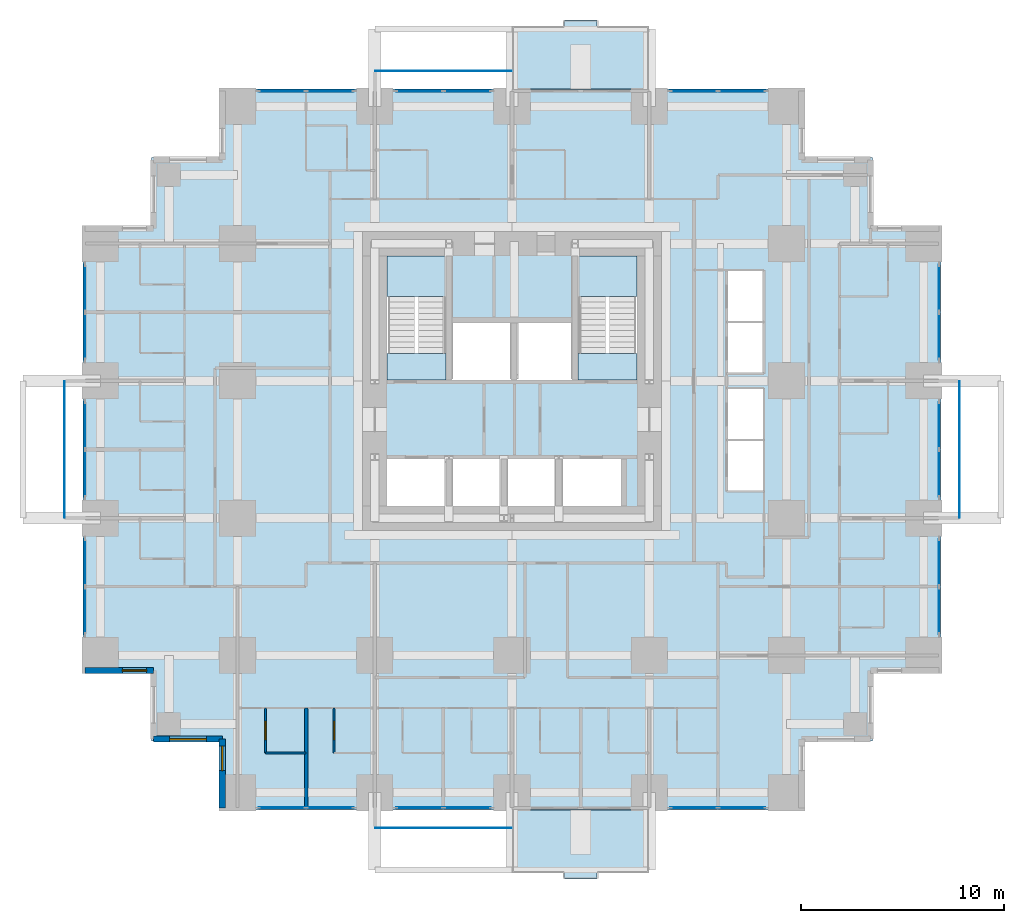
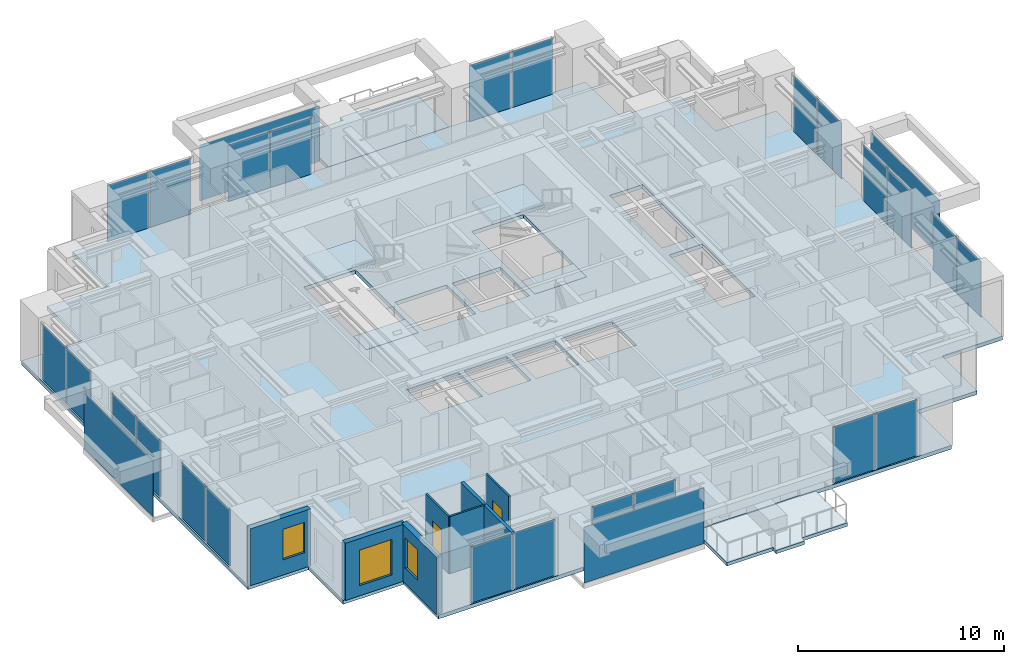
# One storey, part 6 of 13: 28 plates, 7 slabs, 7 walls, 3 windows, 2 doors, 5 openings, 14 elements without a shape of their own.
"""IFC4 building model written with IfcOpenShell, lengths in metres."""

from ifc_helpers import new_model, si_unit, direction, frame, frame_2d, origin, origin_2d, place, context, subcontext, project, spatial, polyline, rectangle, outline, extrude, material, layer, layer_set, type_object, element, fill, aggregate, save


model = new_model("IFC4")

# Units and contexts
model_context = context("Model", 3, precision=1e-05, world=origin(), true_north=direction((0.0, 1.0)))
body_context = subcontext(model_context, "Body", "Model", "MODEL_VIEW")
ifc_project = project(units=[si_unit("LENGTHUNIT", "METRE"), si_unit("AREAUNIT", "SQUARE_METRE"), si_unit("VOLUMEUNIT", "CUBIC_METRE"), si_unit("PLANEANGLEUNIT", "RADIAN"), si_unit("MASSUNIT", "GRAM", prefix="KILO")], contexts=[model_context])

# Site, building, storey
site_placement = place(None, origin())
site = spatial("IfcSite", under=ifc_project, at=site_placement, CompositionType="ELEMENT")
building_placement = place(site_placement, origin())
building = spatial("IfcBuilding", under=site, at=building_placement, Name="Nyansa Garden Tower", CompositionType="ELEMENT")
storey_placement = place(building_placement, frame((0.0, 0.0, 105.300048828125)))
storey = spatial("IfcBuildingStorey", under=building, at=storey_placement, Name="L28", CompositionType="ELEMENT", Elevation=105.300048828125)

# Slabs
ifc_material_1 = material(Name="Concrete C40/50", Category="concrete")
ifc_layer_1 = layer(ifc_material_1, 0.199951171875)
ifc_layer_set_1 = layer_set([ifc_layer_1], Name="Balcony slab BS200")
slab_type_1 = type_object("IfcSlabType", Name="Balcony slab BS200", PredefinedType="FLOOR", material=ifc_layer_set_1)
slab_1_placement = place(storey_placement, frame((0.0, 0.0, -0.239990234375)))
element("IfcSlab", 1, at=slab_1_placement, inside=storey, type_object=slab_type_1, Name="Balcony L28 S", PredefinedType="FLOOR", context=body_context, shape_type="SweptSolid", body=[
    extrude(outline(polyline([(20.25, -0.85009765625), (27.0, -0.85009765625), (27.0, -3.949951171875), (24.425048828125, -3.949951171875), (24.425048828125, -4.25), (22.824951171875, -4.25), (22.824951171875, -3.949951171875), (20.25, -3.949951171875), (20.25, -0.85009765625)])), origin(), (0.0, 0.0, 1.0), 0.199951171875),
])
slab_2_placement = place(storey_placement, frame((0.0, 0.0, -0.239990234375)))
element("IfcSlab", 2, at=slab_2_placement, inside=storey, type_object=slab_type_1, Name="Balcony L28 N", PredefinedType="FLOOR", context=body_context, shape_type="SweptSolid", body=[
    extrude(outline(polyline([(20.25, 34.60009765625), (27.0, 34.60009765625), (27.0, 37.699951171875), (24.425048828125, 37.699951171875), (24.425048828125, 38.0), (22.824951171875, 38.0), (22.824951171875, 37.699951171875), (20.25, 37.699951171875), (20.25, 34.60009765625)])), origin(), (0.0, 0.0, 1.0), 0.199951171875),
])

# Curtain wall, plates
ifc_material_2 = material(Name="Black anodised aluminium, dark tinted double glazing", Category="aluminium")
curtain_wall_type = type_object("IfcCurtainWallType", Name="Inner skin curtain wall ISW-B", PredefinedType="USERDEFINED", material=ifc_material_2)
curtain_wall_1_placement = place(storey_placement, origin())
curtain_wall_1 = element("IfcCurtainWall", 3, at=curtain_wall_1_placement, inside=storey, type_object=curtain_wall_type, Name="Inner skin curtain wall L28 E", ObjectType="UNITISED CURTAIN WALL", PredefinedType="USERDEFINED")
ifc_material_3 = material(Name="Dark tinted laminated double glazing", Category="glass")
ifc_layer_2 = layer(ifc_material_3, 0.035888671875)
ifc_layer_set_2 = layer_set([ifc_layer_2], Name="Dark tinted vision panel VP-B")
plate_type_1 = type_object("IfcPlateType", Name="Dark tinted vision panel VP-B", PredefinedType="CURTAIN_PANEL", material=ifc_layer_set_2)
plate_1_placement = place(storey_placement, frame((41.25, 8.94384765625, 0.0), z_axis=(0.0, 0.0, 1.0), x_axis=(0.0, 1.0, 0.0)))
plate_1 = element("IfcPlate", 4, at=plate_1_placement, type_object=plate_type_1, Name="ISW-B panel 1", PredefinedType="CURTAIN_PANEL", context=body_context, shape_type="SweptSolid", body=[
    extrude(rectangle(XDim=2.297607421875, YDim=0.035888671875, at=origin_2d()), origin(), (0.0, 0.0, 1.0), 3.31005859375),
])
plate_2_placement = place(storey_placement, frame((41.25, 11.30615234375, 0.0), z_axis=(0.0, 0.0, 1.0), x_axis=(0.0, 1.0, 0.0)))
plate_2 = element("IfcPlate", 5, at=plate_2_placement, type_object=plate_type_1, Name="ISW-B panel 2", PredefinedType="CURTAIN_PANEL", context=body_context, shape_type="SweptSolid", body=[
    extrude(rectangle(XDim=2.297607421875, YDim=0.035888671875, at=origin_2d()), origin(), (0.0, 0.0, 1.0), 3.31005859375),
])
aggregate(curtain_wall_1, [plate_1, plate_2])

curtain_wall_2_placement = place(storey_placement, origin())
curtain_wall_2 = element("IfcCurtainWall", 6, at=curtain_wall_2_placement, inside=storey, type_object=curtain_wall_type, Name="Inner skin curtain wall L28 E", ObjectType="UNITISED CURTAIN WALL", PredefinedType="USERDEFINED")
plate_3_placement = place(storey_placement, frame((41.25, 15.69384765625, 0.0), z_axis=(0.0, 0.0, 1.0), x_axis=(0.0, 1.0, 0.0)))
plate_3 = element("IfcPlate", 7, at=plate_3_placement, type_object=plate_type_1, Name="ISW-B panel 1", PredefinedType="CURTAIN_PANEL", context=body_context, shape_type="SweptSolid", body=[
    extrude(rectangle(XDim=2.297607421875, YDim=0.035888671875, at=origin_2d()), origin(), (0.0, 0.0, 1.0), 3.31005859375),
])
plate_4_placement = place(storey_placement, frame((41.25, 18.05615234375, 0.0), z_axis=(0.0, 0.0, 1.0), x_axis=(0.0, 1.0, 0.0)))
plate_4 = element("IfcPlate", 8, at=plate_4_placement, type_object=plate_type_1, Name="ISW-B panel 2", PredefinedType="CURTAIN_PANEL", context=body_context, shape_type="SweptSolid", body=[
    extrude(rectangle(XDim=2.297607421875, YDim=0.035888671875, at=origin_2d()), origin(), (0.0, 0.0, 1.0), 3.31005859375),
])
aggregate(curtain_wall_2, [plate_3, plate_4])

curtain_wall_3_placement = place(storey_placement, origin())
curtain_wall_3 = element("IfcCurtainWall", 9, at=curtain_wall_3_placement, inside=storey, type_object=curtain_wall_type, Name="Inner skin curtain wall L28 E", ObjectType="UNITISED CURTAIN WALL", PredefinedType="USERDEFINED")
plate_5_placement = place(storey_placement, frame((41.25, 22.44384765625, 0.0), z_axis=(0.0, 0.0, 1.0), x_axis=(0.0, 1.0, 0.0)))
plate_5 = element("IfcPlate", 10, at=plate_5_placement, type_object=plate_type_1, Name="ISW-B panel 1", PredefinedType="CURTAIN_PANEL", context=body_context, shape_type="SweptSolid", body=[
    extrude(rectangle(XDim=2.297607421875, YDim=0.035888671875, at=origin_2d()), origin(), (0.0, 0.0, 1.0), 3.31005859375),
])
plate_6_placement = place(storey_placement, frame((41.25, 24.80615234375, 0.0), z_axis=(0.0, 0.0, 1.0), x_axis=(0.0, 1.0, 0.0)))
plate_6 = element("IfcPlate", 11, at=plate_6_placement, type_object=plate_type_1, Name="ISW-B panel 2", PredefinedType="CURTAIN_PANEL", context=body_context, shape_type="SweptSolid", body=[
    extrude(rectangle(XDim=2.297607421875, YDim=0.035888671875, at=origin_2d()), origin(), (0.0, 0.0, 1.0), 3.31005859375),
])
aggregate(curtain_wall_3, [plate_5, plate_6])

curtain_wall_4_placement = place(storey_placement, origin())
curtain_wall_4 = element("IfcCurtainWall", 12, at=curtain_wall_4_placement, inside=storey, type_object=curtain_wall_type, Name="Inner skin curtain wall L28 N", ObjectType="UNITISED CURTAIN WALL", PredefinedType="USERDEFINED")
plate_7_placement = place(storey_placement, frame((18.05615234375, 34.5, 0.0), z_axis=(0.0, 0.0, 1.0), x_axis=(-1.0, 0.0, 0.0)))
plate_7 = element("IfcPlate", 13, at=plate_7_placement, type_object=plate_type_1, Name="ISW-B panel 1", PredefinedType="CURTAIN_PANEL", context=body_context, shape_type="SweptSolid", body=[
    extrude(rectangle(XDim=2.297607421875, YDim=0.035888671875, at=origin_2d()), origin(), (0.0, 0.0, 1.0), 3.31005859375),
])
plate_8_placement = place(storey_placement, frame((15.69384765625, 34.5, 0.0), z_axis=(0.0, 0.0, 1.0), x_axis=(-1.0, 0.0, 0.0)))
plate_8 = element("IfcPlate", 14, at=plate_8_placement, type_object=plate_type_1, Name="ISW-B panel 2", PredefinedType="CURTAIN_PANEL", context=body_context, shape_type="SweptSolid", body=[
    extrude(rectangle(XDim=2.297607421875, YDim=0.035888671875, at=origin_2d()), origin(), (0.0, 0.0, 1.0), 3.31005859375),
])
aggregate(curtain_wall_4, [plate_7, plate_8])

curtain_wall_5_placement = place(storey_placement, origin())
curtain_wall_5 = element("IfcCurtainWall", 15, at=curtain_wall_5_placement, inside=storey, type_object=curtain_wall_type, Name="Inner skin curtain wall L28 N", ObjectType="UNITISED CURTAIN WALL", PredefinedType="USERDEFINED")
plate_9_placement = place(storey_placement, frame((11.30615234375, 34.5, 0.0), z_axis=(0.0, 0.0, 1.0), x_axis=(-1.0, 0.0, 0.0)))
plate_9 = element("IfcPlate", 16, at=plate_9_placement, type_object=plate_type_1, Name="ISW-B panel 1", PredefinedType="CURTAIN_PANEL", context=body_context, shape_type="SweptSolid", body=[
    extrude(rectangle(XDim=2.297607421875, YDim=0.035888671875, at=origin_2d()), origin(), (0.0, 0.0, 1.0), 3.31005859375),
])
plate_10_placement = place(storey_placement, frame((8.94384765625, 34.5, 0.0), z_axis=(0.0, 0.0, 1.0), x_axis=(-1.0, 0.0, 0.0)))
plate_10 = element("IfcPlate", 17, at=plate_10_placement, type_object=plate_type_1, Name="ISW-B panel 2", PredefinedType="CURTAIN_PANEL", context=body_context, shape_type="SweptSolid", body=[
    extrude(rectangle(XDim=2.297607421875, YDim=0.035888671875, at=origin_2d()), origin(), (0.0, 0.0, 1.0), 3.31005859375),
])
aggregate(curtain_wall_5, [plate_9, plate_10])

curtain_wall_6_placement = place(storey_placement, origin())
curtain_wall_6 = element("IfcCurtainWall", 18, at=curtain_wall_6_placement, inside=storey, type_object=curtain_wall_type, Name="Inner skin curtain wall L28 N", ObjectType="UNITISED CURTAIN WALL", PredefinedType="USERDEFINED")
plate_11_placement = place(storey_placement, frame((31.55615234375, 34.5, 0.0), z_axis=(0.0, 0.0, 1.0), x_axis=(-1.0, 0.0, 0.0)))
plate_11 = element("IfcPlate", 19, at=plate_11_placement, type_object=plate_type_1, Name="ISW-B panel 1", PredefinedType="CURTAIN_PANEL", context=body_context, shape_type="SweptSolid", body=[
    extrude(rectangle(XDim=2.297607421875, YDim=0.035888671875, at=origin_2d()), origin(), (0.0, 0.0, 1.0), 3.31005859375),
])
plate_12_placement = place(storey_placement, frame((29.19384765625, 34.5, 0.0), z_axis=(0.0, 0.0, 1.0), x_axis=(-1.0, 0.0, 0.0)))
plate_12 = element("IfcPlate", 20, at=plate_12_placement, type_object=plate_type_1, Name="ISW-B panel 2", PredefinedType="CURTAIN_PANEL", context=body_context, shape_type="SweptSolid", body=[
    extrude(rectangle(XDim=2.297607421875, YDim=0.035888671875, at=origin_2d()), origin(), (0.0, 0.0, 1.0), 3.31005859375),
])
aggregate(curtain_wall_6, [plate_11, plate_12])

curtain_wall_7_placement = place(storey_placement, origin())
curtain_wall_7 = element("IfcCurtainWall", 21, at=curtain_wall_7_placement, inside=storey, type_object=curtain_wall_type, Name="Inner skin curtain wall L28 W", ObjectType="UNITISED CURTAIN WALL", PredefinedType="USERDEFINED")
plate_13_placement = place(storey_placement, frame((-0.75, 24.80615234375, 0.0), z_axis=(0.0, 0.0, 1.0), x_axis=(0.0, -1.0, 0.0)))
plate_13 = element("IfcPlate", 22, at=plate_13_placement, type_object=plate_type_1, Name="ISW-B panel 1", PredefinedType="CURTAIN_PANEL", context=body_context, shape_type="SweptSolid", body=[
    extrude(rectangle(XDim=2.297607421875, YDim=0.035888671875, at=origin_2d()), origin(), (0.0, 0.0, 1.0), 3.31005859375),
])
plate_14_placement = place(storey_placement, frame((-0.75, 22.44384765625, 0.0), z_axis=(0.0, 0.0, 1.0), x_axis=(0.0, -1.0, 0.0)))
plate_14 = element("IfcPlate", 23, at=plate_14_placement, type_object=plate_type_1, Name="ISW-B panel 2", PredefinedType="CURTAIN_PANEL", context=body_context, shape_type="SweptSolid", body=[
    extrude(rectangle(XDim=2.297607421875, YDim=0.035888671875, at=origin_2d()), origin(), (0.0, 0.0, 1.0), 3.31005859375),
])
aggregate(curtain_wall_7, [plate_13, plate_14])

curtain_wall_8_placement = place(storey_placement, origin())
curtain_wall_8 = element("IfcCurtainWall", 24, at=curtain_wall_8_placement, inside=storey, type_object=curtain_wall_type, Name="Inner skin curtain wall L28 W", ObjectType="UNITISED CURTAIN WALL", PredefinedType="USERDEFINED")
plate_15_placement = place(storey_placement, frame((-0.75, 18.05615234375, 0.0), z_axis=(0.0, 0.0, 1.0), x_axis=(0.0, -1.0, 0.0)))
plate_15 = element("IfcPlate", 25, at=plate_15_placement, type_object=plate_type_1, Name="ISW-B panel 1", PredefinedType="CURTAIN_PANEL", context=body_context, shape_type="SweptSolid", body=[
    extrude(rectangle(XDim=2.297607421875, YDim=0.035888671875, at=origin_2d()), origin(), (0.0, 0.0, 1.0), 3.31005859375),
])
plate_16_placement = place(storey_placement, frame((-0.75, 15.69384765625, 0.0), z_axis=(0.0, 0.0, 1.0), x_axis=(0.0, -1.0, 0.0)))
plate_16 = element("IfcPlate", 26, at=plate_16_placement, type_object=plate_type_1, Name="ISW-B panel 2", PredefinedType="CURTAIN_PANEL", context=body_context, shape_type="SweptSolid", body=[
    extrude(rectangle(XDim=2.297607421875, YDim=0.035888671875, at=origin_2d()), origin(), (0.0, 0.0, 1.0), 3.31005859375),
])
aggregate(curtain_wall_8, [plate_15, plate_16])

curtain_wall_9_placement = place(storey_placement, origin())
curtain_wall_9 = element("IfcCurtainWall", 27, at=curtain_wall_9_placement, inside=storey, type_object=curtain_wall_type, Name="Inner skin curtain wall L28 W", ObjectType="UNITISED CURTAIN WALL", PredefinedType="USERDEFINED")
plate_17_placement = place(storey_placement, frame((-0.75, 11.30615234375, 0.0), z_axis=(0.0, 0.0, 1.0), x_axis=(0.0, -1.0, 0.0)))
plate_17 = element("IfcPlate", 28, at=plate_17_placement, type_object=plate_type_1, Name="ISW-B panel 1", PredefinedType="CURTAIN_PANEL", context=body_context, shape_type="SweptSolid", body=[
    extrude(rectangle(XDim=2.297607421875, YDim=0.035888671875, at=origin_2d()), origin(), (0.0, 0.0, 1.0), 3.31005859375),
])
plate_18_placement = place(storey_placement, frame((-0.75, 8.94384765625, 0.0), z_axis=(0.0, 0.0, 1.0), x_axis=(0.0, -1.0, 0.0)))
plate_18 = element("IfcPlate", 29, at=plate_18_placement, type_object=plate_type_1, Name="ISW-B panel 2", PredefinedType="CURTAIN_PANEL", context=body_context, shape_type="SweptSolid", body=[
    extrude(rectangle(XDim=2.297607421875, YDim=0.035888671875, at=origin_2d()), origin(), (0.0, 0.0, 1.0), 3.31005859375),
])
aggregate(curtain_wall_9, [plate_17, plate_18])

curtain_wall_10_placement = place(storey_placement, origin())
curtain_wall_10 = element("IfcCurtainWall", 30, at=curtain_wall_10_placement, inside=storey, type_object=curtain_wall_type, Name="Inner skin curtain wall L28 S", ObjectType="UNITISED CURTAIN WALL", PredefinedType="USERDEFINED")
plate_19_placement = place(storey_placement, frame((8.94384765625, -0.75, 0.0), z_axis=(0.0, 0.0, 1.0), x_axis=(1.0, 0.0, 0.0)))
plate_19 = element("IfcPlate", 31, at=plate_19_placement, type_object=plate_type_1, Name="ISW-B panel 1", PredefinedType="CURTAIN_PANEL", context=body_context, shape_type="SweptSolid", body=[
    extrude(rectangle(XDim=2.297607421875, YDim=0.035888671875, at=origin_2d()), origin(), (0.0, 0.0, 1.0), 3.31005859375),
])
plate_20_placement = place(storey_placement, frame((11.30615234375, -0.75, 0.0), z_axis=(0.0, 0.0, 1.0), x_axis=(1.0, 0.0, 0.0)))
plate_20 = element("IfcPlate", 32, at=plate_20_placement, type_object=plate_type_1, Name="ISW-B panel 2", PredefinedType="CURTAIN_PANEL", context=body_context, shape_type="SweptSolid", body=[
    extrude(rectangle(XDim=2.297607421875, YDim=0.035888671875, at=origin_2d()), origin(), (0.0, 0.0, 1.0), 3.31005859375),
])
aggregate(curtain_wall_10, [plate_19, plate_20])

curtain_wall_11_placement = place(storey_placement, origin())
curtain_wall_11 = element("IfcCurtainWall", 33, at=curtain_wall_11_placement, inside=storey, type_object=curtain_wall_type, Name="Inner skin curtain wall L28 S", ObjectType="UNITISED CURTAIN WALL", PredefinedType="USERDEFINED")
plate_21_placement = place(storey_placement, frame((15.69384765625, -0.75, 0.0), z_axis=(0.0, 0.0, 1.0), x_axis=(1.0, 0.0, 0.0)))
plate_21 = element("IfcPlate", 34, at=plate_21_placement, type_object=plate_type_1, Name="ISW-B panel 1", PredefinedType="CURTAIN_PANEL", context=body_context, shape_type="SweptSolid", body=[
    extrude(rectangle(XDim=2.297607421875, YDim=0.035888671875, at=origin_2d()), origin(), (0.0, 0.0, 1.0), 3.31005859375),
])
plate_22_placement = place(storey_placement, frame((18.05615234375, -0.75, 0.0), z_axis=(0.0, 0.0, 1.0), x_axis=(1.0, 0.0, 0.0)))
plate_22 = element("IfcPlate", 35, at=plate_22_placement, type_object=plate_type_1, Name="ISW-B panel 2", PredefinedType="CURTAIN_PANEL", context=body_context, shape_type="SweptSolid", body=[
    extrude(rectangle(XDim=2.297607421875, YDim=0.035888671875, at=origin_2d()), origin(), (0.0, 0.0, 1.0), 3.31005859375),
])
aggregate(curtain_wall_11, [plate_21, plate_22])

curtain_wall_12_placement = place(storey_placement, origin())
curtain_wall_12 = element("IfcCurtainWall", 36, at=curtain_wall_12_placement, inside=storey, type_object=curtain_wall_type, Name="Inner skin curtain wall L28 S", ObjectType="UNITISED CURTAIN WALL", PredefinedType="USERDEFINED")
plate_23_placement = place(storey_placement, frame((29.19384765625, -0.75, 0.0), z_axis=(0.0, 0.0, 1.0), x_axis=(1.0, 0.0, 0.0)))
plate_23 = element("IfcPlate", 37, at=plate_23_placement, type_object=plate_type_1, Name="ISW-B panel 1", PredefinedType="CURTAIN_PANEL", context=body_context, shape_type="SweptSolid", body=[
    extrude(rectangle(XDim=2.297607421875, YDim=0.035888671875, at=origin_2d()), origin(), (0.0, 0.0, 1.0), 3.31005859375),
])
plate_24_placement = place(storey_placement, frame((31.55615234375, -0.75, 0.0), z_axis=(0.0, 0.0, 1.0), x_axis=(1.0, 0.0, 0.0)))
plate_24 = element("IfcPlate", 38, at=plate_24_placement, type_object=plate_type_1, Name="ISW-B panel 2", PredefinedType="CURTAIN_PANEL", context=body_context, shape_type="SweptSolid", body=[
    extrude(rectangle(XDim=2.297607421875, YDim=0.035888671875, at=origin_2d()), origin(), (0.0, 0.0, 1.0), 3.31005859375),
])
aggregate(curtain_wall_12, [plate_23, plate_24])

# Slab
ifc_material_4 = material(Name="Concrete C40/50", Category="concrete")
ifc_layer_3 = layer(ifc_material_4, 0.22509765625)
ifc_layer_set_3 = layer_set([ifc_layer_3], Name="Floor slab FS225")
slab_type_2 = type_object("IfcSlabType", Name="Floor slab FS225", PredefinedType="FLOOR", material=ifc_layer_set_3)
slab_3_placement = place(storey_placement, frame((0.0, 0.0, -0.22509765625)))
element("IfcSlab", 39, at=slab_3_placement, inside=storey, type_object=slab_type_2, Name="Floor slab L28", PredefinedType="FLOOR", context=body_context, shape_type="SweptSolid", body=[
    extrude(outline(polyline([(41.35009765625, 5.89990234375), (37.97509765625, 5.89990234375), (37.97509765625, 2.52490234375), (34.60009765625, 2.52490234375), (34.60009765625, -0.85009765625), (5.89990234375, -0.85009765625), (5.89990234375, 2.52490234375), (2.52490234375, 2.52490234375), (2.52490234375, 5.89990234375), (-0.85009765625, 5.89990234375), (-0.85009765625, 27.85009765625), (2.52490234375, 27.85009765625), (2.52490234375, 31.22509765625), (5.89990234375, 31.22509765625), (5.89990234375, 34.60009765625), (34.60009765625, 34.60009765625), (34.60009765625, 31.22509765625), (37.97509765625, 31.22509765625), (37.97509765625, 27.85009765625), (41.35009765625, 27.85009765625), (41.35009765625, 5.89990234375)]), holes=[polyline([(14.10009765625, 14.10009765625), (17.0, 14.10009765625), (17.0, 16.39990234375), (14.10009765625, 16.39990234375), (14.10009765625, 14.10009765625)]), polyline([(17.300048828125, 14.10009765625), (19.699951171875, 14.10009765625), (19.699951171875, 16.39990234375), (17.300048828125, 16.39990234375), (17.300048828125, 14.10009765625)]), polyline([(20.0, 14.10009765625), (22.39990234375, 14.10009765625), (22.39990234375, 16.39990234375), (20.0, 16.39990234375), (20.0, 14.10009765625)]), polyline([(22.699951171875, 14.10009765625), (25.60009765625, 14.10009765625), (25.60009765625, 16.39990234375), (22.699951171875, 16.39990234375), (22.699951171875, 14.10009765625)]), polyline([(17.300048828125, 20.300048828125), (20.199951171875, 20.300048828125), (20.199951171875, 23.10009765625), (17.300048828125, 23.10009765625), (17.300048828125, 20.300048828125)]), polyline([(20.5, 20.300048828125), (23.199951171875, 20.300048828125), (23.199951171875, 23.10009765625), (20.5, 23.10009765625), (20.5, 20.300048828125)]), polyline([(30.800048828125, 14.800048828125), (32.64990234375, 14.800048828125), (32.64990234375, 19.89990234375), (30.800048828125, 19.89990234375), (30.800048828125, 14.800048828125)]), polyline([(30.800048828125, 20.60009765625), (32.64990234375, 20.60009765625), (32.64990234375, 25.699951171875), (30.800048828125, 25.699951171875), (30.800048828125, 20.60009765625)]), polyline([(14.10009765625, 20.300048828125), (17.0, 20.300048828125), (17.0, 26.39990234375), (14.10009765625, 26.39990234375), (14.10009765625, 20.300048828125)]), polyline([(23.5, 20.300048828125), (26.39990234375, 20.300048828125), (26.39990234375, 26.39990234375), (23.5, 26.39990234375), (23.5, 20.300048828125)])]), origin(), (0.0, 0.0, 1.0), 0.22509765625),
])

# Plates
ifc_material_5 = material(Name="Dark tinted laminated glass", Category="glass")
ifc_layer_4 = layer(ifc_material_5, 0.02392578125)
ifc_layer_set_4 = layer_set([ifc_layer_4], Name="Outer skin glass panel OS1")
plate_type_2 = type_object("IfcPlateType", Name="Outer skin glass panel OS1", PredefinedType="USERDEFINED", material=ifc_layer_set_4)
for number, where, z_axis, x_axis, name in (
    (40, (42.25, 16.875, -0.22509765625), (0.0, 0.0, 1.0), (0.0, 1.0, 0.0), "Outer skin glass panel L28"),
    (41, (16.875, 35.5, -0.22509765625), (0.0, 0.0, 1.0), (1.0, 0.0, 0.0), "Outer skin glass panel L28"),
    (42, (-1.75, 16.875, -0.22509765625), (0.0, 0.0, 1.0), (0.0, 1.0, 0.0), "Outer skin glass panel L28"),
    (43, (16.875, -1.75, -0.22509765625), (0.0, 0.0, 1.0), (1.0, 0.0, 0.0), "Outer skin glass panel L28"),
):
    element("IfcPlate", number, at=place(storey_placement, frame(where, z_axis=z_axis, x_axis=x_axis)), inside=storey, type_object=plate_type_2, Name=name, ObjectType="OUTER SKIN GLASS", PredefinedType="USERDEFINED", context=body_context, shape_type="SweptSolid", body=[
        extrude(rectangle(XDim=6.7099609375, YDim=0.02392578125, at=origin_2d()), origin(), (0.0, 0.0, 1.0), 3.300048828125),
    ])

# Stair, slabs
ifc_material_6 = material(Name="Precast concrete C40/50", Category="concrete")
stair_type_1 = type_object("IfcStairType", Name="Stair S1 164x280", PredefinedType="HALF_TURN_STAIR", material=ifc_material_6)
stair_1_placement = place(storey_placement, origin())
stair_1 = element("IfcStair", 44, at=stair_1_placement, inside=storey, type_object=stair_type_1, Name="Stair S1 L28", PredefinedType="HALF_TURN_STAIR")
ifc_material_7 = material(Name="Concrete C40/50", Category="concrete")
ifc_layer_5 = layer(ifc_material_7, 0.199951171875)
ifc_layer_set_5 = layer_set([ifc_layer_5], Name="Stair landing SL200")
slab_type_3 = type_object("IfcSlabType", Name="Stair landing SL200", PredefinedType="LANDING", material=ifc_layer_set_5)
slab_4_placement = place(storey_placement, frame((0.0, 0.0, -0.199951171875)))
slab_4 = element("IfcSlab", 45, at=slab_4_placement, type_object=slab_type_3, Name="S1 landing 1", PredefinedType="LANDING", context=body_context, shape_type="SweptSolid", body=[
    extrude(outline(polyline([(14.10009765625, 20.300048828125), (17.0, 20.300048828125), (17.0, 21.60009765625), (14.10009765625, 21.60009765625), (14.10009765625, 20.300048828125)])), origin(), (0.0, 0.0, 1.0), 0.199951171875),
])
slab_5_placement = place(storey_placement, frame((0.0, 0.0, 1.599853515625)))
slab_5 = element("IfcSlab", 46, at=slab_5_placement, type_object=slab_type_3, Name="S1 landing 2", PredefinedType="LANDING", context=body_context, shape_type="SweptSolid", body=[
    extrude(outline(polyline([(14.10009765625, 24.39990234375), (17.0, 24.39990234375), (17.0, 26.39990234375), (14.10009765625, 26.39990234375), (14.10009765625, 24.39990234375)])), origin(), (0.0, 0.0, 1.0), 0.2001953125),
])
aggregate(stair_1, [slab_4, slab_5])

ifc_material_8 = material(Name="Precast concrete C40/50", Category="concrete")
stair_type_2 = type_object("IfcStairType", Name="Stair S2 164x280", PredefinedType="HALF_TURN_STAIR", material=ifc_material_8)
stair_2_placement = place(storey_placement, origin())
stair_2 = element("IfcStair", 47, at=stair_2_placement, inside=storey, type_object=stair_type_2, Name="Stair S2 L28", PredefinedType="HALF_TURN_STAIR")
slab_6_placement = place(storey_placement, frame((0.0, 0.0, -0.199951171875)))
slab_6 = element("IfcSlab", 48, at=slab_6_placement, type_object=slab_type_3, Name="S2 landing 1", PredefinedType="LANDING", context=body_context, shape_type="SweptSolid", body=[
    extrude(outline(polyline([(23.5, 20.300048828125), (26.39990234375, 20.300048828125), (26.39990234375, 21.60009765625), (23.5, 21.60009765625), (23.5, 20.300048828125)])), origin(), (0.0, 0.0, 1.0), 0.199951171875),
])
slab_7_placement = place(storey_placement, frame((0.0, 0.0, 1.599853515625)))
slab_7 = element("IfcSlab", 49, at=slab_7_placement, type_object=slab_type_3, Name="S2 landing 2", PredefinedType="LANDING", context=body_context, shape_type="SweptSolid", body=[
    extrude(outline(polyline([(23.5, 24.39990234375), (26.39990234375, 24.39990234375), (26.39990234375, 26.39990234375), (23.5, 26.39990234375), (23.5, 24.39990234375)])), origin(), (0.0, 0.0, 1.0), 0.2001953125),
])
aggregate(stair_2, [slab_6, slab_7])

# Wall
ifc_material_9 = material(Name="Dense blockwork, plastered both sides, 55 dB", Category="masonry")
ifc_layer_6 = layer(ifc_material_9, 0.175048828125)
ifc_layer_set_6 = layer_set([ifc_layer_6], Name="Acoustic party wall PW175")
wall_type_1 = type_object("IfcWallType", Name="Acoustic party wall PW175", PredefinedType="PARTITIONING", material=ifc_layer_set_6)
wall_1_placement = place(storey_placement, frame((10.125, -0.73388671875, 0.0), z_axis=(0.0, 0.0, 1.0), x_axis=(0.0, 1.0, 0.0)))
element("IfcWall", 50, at=wall_1_placement, inside=storey, type_object=wall_type_1, Name="Party wall", PredefinedType="PARTITIONING", context=body_context, shape_type="SweptSolid", body=[
    extrude(rectangle(XDim=4.8837890625, YDim=0.175048828125, at=frame_2d((2.44189453125, 0.0))), origin(), (0.0, 0.0, 1.0), 3.375),
])

# Wall, opening, window
ifc_material_10 = material(Name="Turquoise glazed tile on concrete blockwork", Category="masonry")
ifc_layer_7 = layer(ifc_material_10, 0.300048828125)
ifc_layer_set_7 = layer_set([ifc_layer_7], Name="Tiled corner wall TW300")
wall_type_2 = type_object("IfcWallType", Name="Tiled corner wall TW300", PredefinedType="SOLIDWALL", material=ifc_layer_set_7)
wall_2_placement = place(storey_placement, frame((-0.75, 6.0, 0.0), z_axis=(0.0, 0.0, 1.0), x_axis=(1.0, 0.0, 0.0)))
wall_2 = element("IfcWall", 51, at=wall_2_placement, inside=storey, type_object=wall_type_2, Name="Tiled corner wall L28", PredefinedType="SOLIDWALL", context=body_context, shape_type="SweptSolid", body=[
    extrude(rectangle(XDim=3.375, YDim=0.300048828125, at=frame_2d((1.6875, 0.0))), origin(), (0.0, 0.0, 1.0), 3.375),
])
opening_1_placement = place(wall_2_placement, frame((1.83251953125, 0.0, 0.89990234375)))
opening_1 = element("IfcOpeningElement", 52, at=opening_1_placement, cuts=wall_2, Name="Opening W4", PredefinedType="OPENING", context=body_context, shape_type="SweptSolid", body=[
    extrude(rectangle(XDim=1.199951171875, YDim=1.800048828125, at=frame_2d((0.60009765625, 0.89990234375))), frame((0.0, 0.159912109375, 0.0), z_axis=(0.0, -1.0, 0.0), x_axis=(1.0, 0.0, 0.0)), (0.0, 0.0, 1.0), 0.320068359375),
])
ifc_material_11 = material(Name="Black aluminium frame, dark tinted double glazing", Category="aluminium")
window_type_1 = type_object("IfcWindowType", Name="Window W4 1200x1800", PartitioningType="SINGLE_PANEL", PredefinedType="WINDOW", material=ifc_material_11)
window_1_placement = place(opening_1_placement, origin())
window_1 = element("IfcWindow", 53, at=window_1_placement, inside=storey, type_object=window_type_1, Name="Corner window L28", OverallHeight=1.800048828125, OverallWidth=1.199951171875, PartitioningType="SINGLE_PANEL", PredefinedType="WINDOW", context=body_context, shape_type="SweptSolid", body=[
    extrude(rectangle(XDim=1.199951171875, YDim=1.800048828125, at=frame_2d((0.60009765625, 0.89990234375))), frame((0.0, 0.030029296875, 0.0), z_axis=(0.0, -1.0, 0.0), x_axis=(1.0, 0.0, 0.0)), (0.0, 0.0, 1.0), 0.06005859375),
])
fill(opening_1, window_1)

wall_3_placement = place(storey_placement, frame((2.625, 2.625, 0.0), z_axis=(0.0, 0.0, 1.0), x_axis=(1.0, 0.0, 0.0)))
wall_3 = element("IfcWall", 54, at=wall_3_placement, inside=storey, type_object=wall_type_2, Name="Tiled corner wall L28", PredefinedType="SOLIDWALL", context=body_context, shape_type="SweptSolid", body=[
    extrude(rectangle(XDim=3.375, YDim=0.300048828125, at=frame_2d((1.6875, 0.0))), origin(), (0.0, 0.0, 1.0), 3.375),
])
opening_2_placement = place(wall_3_placement, frame((0.78759765625, 0.0, 0.60009765625)))
opening_2 = element("IfcOpeningElement", 55, at=opening_2_placement, cuts=wall_3, Name="Opening W2", PredefinedType="OPENING", context=body_context, shape_type="SweptSolid", body=[
    extrude(rectangle(XDim=1.800048828125, YDim=2.10009765625, at=frame_2d((0.89990234375, 1.050048828125))), frame((0.0, 0.159912109375, 0.0), z_axis=(0.0, -1.0, 0.0), x_axis=(1.0, 0.0, 0.0)), (0.0, 0.0, 1.0), 0.320068359375),
])
ifc_material_12 = material(Name="Black aluminium frame, dark tinted double glazing", Category="aluminium")
window_type_2 = type_object("IfcWindowType", Name="Window W2 1800x2100", PartitioningType="SINGLE_PANEL", PredefinedType="WINDOW", material=ifc_material_12)
window_2_placement = place(opening_2_placement, origin())
window_2 = element("IfcWindow", 56, at=window_2_placement, inside=storey, type_object=window_type_2, Name="Corner window L28", OverallHeight=2.10009765625, OverallWidth=1.800048828125, PartitioningType="SINGLE_PANEL", PredefinedType="WINDOW", context=body_context, shape_type="SweptSolid", body=[
    extrude(rectangle(XDim=1.800048828125, YDim=2.10009765625, at=frame_2d((0.89990234375, 1.050048828125))), frame((0.0, 0.030029296875, 0.0), z_axis=(0.0, -1.0, 0.0), x_axis=(1.0, 0.0, 0.0)), (0.0, 0.0, 1.0), 0.06005859375),
])
fill(opening_2, window_2)

wall_4_placement = place(storey_placement, frame((6.0, 2.625, 0.0), z_axis=(0.0, 0.0, 1.0), x_axis=(0.0, -1.0, 0.0)))
wall_4 = element("IfcWall", 57, at=wall_4_placement, inside=storey, type_object=wall_type_2, Name="Tiled corner wall L28", PredefinedType="SOLIDWALL", context=body_context, shape_type="SweptSolid", body=[
    extrude(rectangle(XDim=3.375, YDim=0.300048828125, at=frame_2d((1.6875, 0.0))), origin(), (0.0, 0.0, 1.0), 3.375),
])
opening_3_placement = place(wall_4_placement, frame((0.342529296875, 0.0, 0.89990234375)))
opening_3 = element("IfcOpeningElement", 58, at=opening_3_placement, cuts=wall_4, Name="Opening W4", PredefinedType="OPENING", context=body_context, shape_type="SweptSolid", body=[
    extrude(rectangle(XDim=1.199951171875, YDim=1.800048828125, at=frame_2d((0.60009765625, 0.89990234375))), frame((0.0, 0.159912109375, 0.0), z_axis=(0.0, -1.0, 0.0), x_axis=(1.0, 0.0, 0.0)), (0.0, 0.0, 1.0), 0.320068359375),
])
window_3_placement = place(opening_3_placement, origin())
window_3 = element("IfcWindow", 59, at=window_3_placement, inside=storey, type_object=window_type_1, Name="Corner window L28", OverallHeight=1.800048828125, OverallWidth=1.199951171875, PartitioningType="SINGLE_PANEL", PredefinedType="WINDOW", context=body_context, shape_type="SweptSolid", body=[
    extrude(rectangle(XDim=1.199951171875, YDim=1.800048828125, at=frame_2d((0.60009765625, 0.89990234375))), frame((0.0, 0.030029296875, 0.0), z_axis=(0.0, -1.0, 0.0), x_axis=(1.0, 0.0, 0.0)), (0.0, 0.0, 1.0), 0.06005859375),
])
fill(opening_3, window_3)

# Wall, opening, door
ifc_material_13 = material(Name="Moisture resistant board on steel studs, tiled", Category="steel")
ifc_layer_8 = layer(ifc_material_13, 0.10009765625)
ifc_layer_set_8 = layer_set([ifc_layer_8], Name="Wet wall PW100")
wall_type_3 = type_object("IfcWallType", Name="Wet wall PW100", PredefinedType="PARTITIONING", material=ifc_layer_set_8)
wall_5_placement = place(storey_placement, frame((8.125, 1.949951171875, 0.0), z_axis=(0.0, 0.0, 1.0), x_axis=(0.0, 1.0, 0.0)))
wall_5 = element("IfcWall", 60, at=wall_5_placement, inside=storey, type_object=wall_type_3, Name="Wet wall", PredefinedType="PARTITIONING", context=body_context, shape_type="SweptSolid", body=[
    extrude(rectangle(XDim=2.199951171875, YDim=0.10009765625, at=frame_2d((1.10009765625, 0.0))), origin(), (0.0, 0.0, 1.0), 3.375),
])
opening_4_placement = place(wall_5_placement, frame((0.64990234375, 0.0, 0.0)))
opening_4 = element("IfcOpeningElement", 61, at=opening_4_placement, cuts=wall_5, Name="Opening D02", PredefinedType="OPENING", context=body_context, shape_type="SweptSolid", body=[
    extrude(rectangle(XDim=0.89990234375, YDim=2.199951171875, at=frame_2d((0.449951171875, 1.10009765625))), frame((0.0, 0.06005859375, 0.0), z_axis=(0.0, -1.0, 0.0), x_axis=(1.0, 0.0, 0.0)), (0.0, 0.0, 1.0), 0.1201171875),
])
ifc_material_14 = material(Name="Timber flush door", Category="wood")
door_type = type_object("IfcDoorType", Name="En-suite door D02 900x2200", OperationType="SINGLE_SWING_RIGHT", PredefinedType="DOOR", material=ifc_material_14)
door_1_placement = place(opening_4_placement, origin())
door_1 = element("IfcDoor", 62, at=door_1_placement, inside=storey, type_object=door_type, Name="Door L28-019", OperationType="SINGLE_SWING_RIGHT", OverallHeight=2.199951171875, OverallWidth=0.89990234375, PredefinedType="DOOR", context=body_context, shape_type="SweptSolid", body=[
    extrude(rectangle(XDim=0.89990234375, YDim=2.199951171875, at=frame_2d((0.449951171875, 1.10009765625))), frame((0.0, 0.02490234375, 0.0), z_axis=(0.0, -1.0, 0.0), x_axis=(1.0, 0.0, 0.0)), (0.0, 0.0, 1.0), 0.050048828125),
])
fill(opening_4, door_1)

# Wall
wall_6_placement = place(storey_placement, frame((8.125, 1.949951171875, 0.0), z_axis=(0.0, 0.0, 1.0), x_axis=(1.0, 0.0, 0.0)))
element("IfcWall", 63, at=wall_6_placement, inside=storey, type_object=wall_type_3, Name="Wet wall", PredefinedType="PARTITIONING", context=body_context, shape_type="SweptSolid", body=[
    extrude(rectangle(XDim=2.0, YDim=0.10009765625, at=frame_2d((1.0, 0.0))), origin(), (0.0, 0.0, 1.0), 3.375),
])

# Wall, opening, door
wall_7_placement = place(storey_placement, frame((11.5, 1.949951171875, 0.0), z_axis=(0.0, 0.0, 1.0), x_axis=(0.0, 1.0, 0.0)))
wall_7 = element("IfcWall", 64, at=wall_7_placement, inside=storey, type_object=wall_type_3, Name="Wet wall", PredefinedType="PARTITIONING", context=body_context, shape_type="SweptSolid", body=[
    extrude(rectangle(XDim=2.199951171875, YDim=0.10009765625, at=frame_2d((1.10009765625, 0.0))), origin(), (0.0, 0.0, 1.0), 3.375),
])
opening_5_placement = place(wall_7_placement, frame((0.64990234375, 0.0, 0.0)))
opening_5 = element("IfcOpeningElement", 65, at=opening_5_placement, cuts=wall_7, Name="Opening D02", PredefinedType="OPENING", context=body_context, shape_type="SweptSolid", body=[
    extrude(rectangle(XDim=0.89990234375, YDim=2.199951171875, at=frame_2d((0.449951171875, 1.10009765625))), frame((0.0, 0.06005859375, 0.0), z_axis=(0.0, -1.0, 0.0), x_axis=(1.0, 0.0, 0.0)), (0.0, 0.0, 1.0), 0.1201171875),
])
door_2_placement = place(opening_5_placement, origin())
door_2 = element("IfcDoor", 66, at=door_2_placement, inside=storey, type_object=door_type, Name="Door L28-021", OperationType="SINGLE_SWING_RIGHT", OverallHeight=2.199951171875, OverallWidth=0.89990234375, PredefinedType="DOOR", context=body_context, shape_type="SweptSolid", body=[
    extrude(rectangle(XDim=0.89990234375, YDim=2.199951171875, at=frame_2d((0.449951171875, 1.10009765625))), frame((0.0, 0.02490234375, 0.0), z_axis=(0.0, -1.0, 0.0), x_axis=(1.0, 0.0, 0.0)), (0.0, 0.0, 1.0), 0.050048828125),
])
fill(opening_5, door_2)

save(model, "model.ifc")
